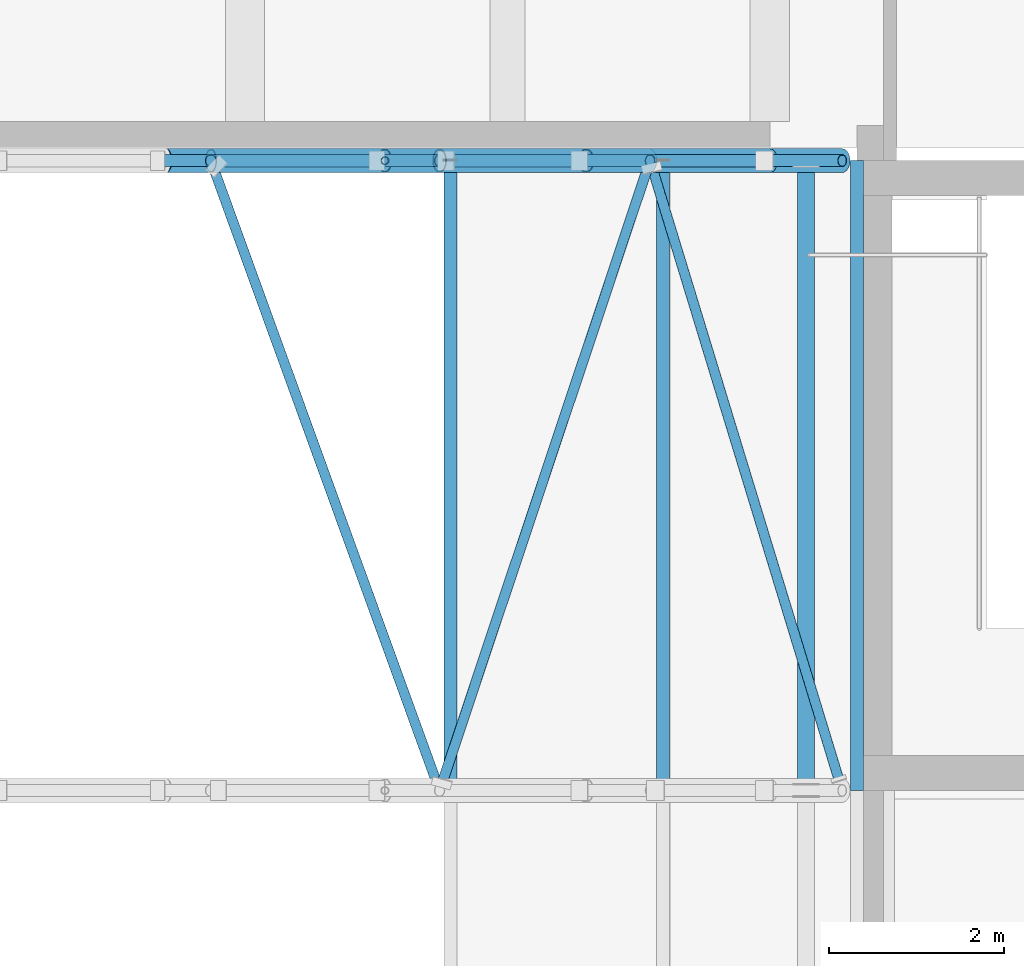
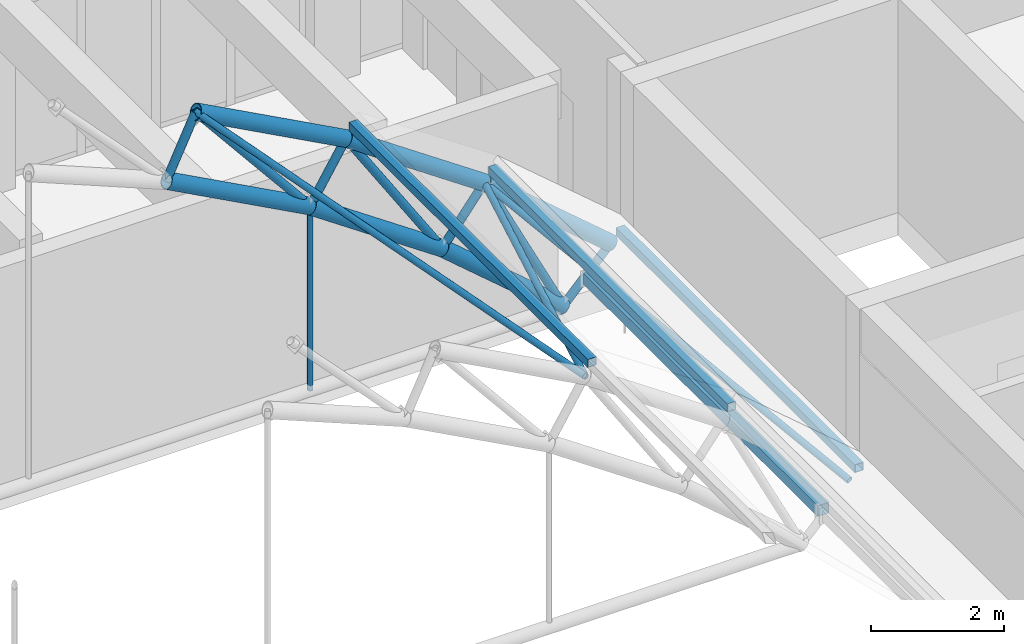
# One storey, part 29 of 101: 21 members.
"""IFC4 building model written with IfcOpenShell, lengths in metres."""

from ifc_helpers import new_model, si_unit, direction, frame, origin, origin_2d, place, context, subcontext, project, spatial, hollow_rectangle, hollow_circle, extrude, material, material_profile, profile_set, type_object, element, save


model = new_model("IFC4")

# Units and contexts
model_context = context("Model", 3, precision=1e-05, world=origin(), true_north=direction((0.0, 1.0)))
body_context = subcontext(model_context, "Body", "Model", "MODEL_VIEW")
ifc_project = project(units=[si_unit("LENGTHUNIT", "METRE"), si_unit("AREAUNIT", "SQUARE_METRE"), si_unit("VOLUMEUNIT", "CUBIC_METRE"), si_unit("PLANEANGLEUNIT", "RADIAN"), si_unit("MASSUNIT", "GRAM", prefix="KILO")], contexts=[model_context])

# Site, building, storey
site_placement = place(None, origin())
site = spatial("IfcSite", under=ifc_project, at=site_placement, CompositionType="ELEMENT")
building_placement = place(site_placement, origin())
building = spatial("IfcBuilding", under=site, at=building_placement, Name="Laocheng Heights Fire and Rescue Headquarters", CompositionType="ELEMENT")
storey_placement = place(building_placement, frame((0.0, 0.0, 8.39990234375)))
storey = spatial("IfcBuildingStorey", under=building, at=storey_placement, Name="L02", CompositionType="ELEMENT", Elevation=8.39990234375)

# Members
ifc_material_1 = material(Name="Steel Q355B", Category="steel")
ifc_material_profile_1 = material_profile(ifc_material_1, hollow_circle(Radius=0.05712890625, WallThickness=0.0048828125, at=origin_2d()), Name="CHS 114.3x5")
ifc_profile_set_1 = profile_set([ifc_material_profile_1], Name="Steel Q355B")
member_type_1 = type_object("IfcMemberType", Name="BAY ROOF BRACE CHS 114.3x5", PredefinedType="BRACE", material=ifc_profile_set_1)
member_1_placement = place(storey_placement, frame((50.22509765625, 14.39990234375, 4.401123046875), z_axis=(-0.335750579277, 0.924466070771, 0.180648920584), x_axis=(-0.939930136239, -0.341366868617, 0.0)))
element("IfcMember", 1, at=member_1_placement, inside=storey, type_object=member_type_1, Name="Roof brace C-D panel 14", PredefinedType="BRACE", context=body_context, shape_type="SweptSolid", body=[
    extrude(hollow_circle(Radius=0.05712890625, WallThickness=0.0048828125, at=origin_2d()), origin(), (0.0, 0.0, 1.0), 7.78857421875),
])
member_2_placement = place(storey_placement, frame((50.22509765625, 14.39990234375, 4.401123046875), z_axis=(0.309683504081, 0.926756560361, -0.212646197069), x_axis=(-0.948448272196, 0.316931972145, 0.0)))
element("IfcMember", 2, at=member_2_placement, inside=storey, type_object=member_type_1, Name="Roof brace C-D panel 15", PredefinedType="BRACE", context=body_context, shape_type="SweptSolid", body=[
    extrude(hollow_circle(Radius=0.05712890625, WallThickness=0.0048828125, at=origin_2d()), origin(), (0.0, 0.0, 1.0), 7.769287109375),
])
member_3_placement = place(storey_placement, frame((54.827880859375, 14.39990234375, 0.869140625), z_axis=(-0.283125122664, 0.927975785465, 0.242283112304), x_axis=(-0.956473341077, -0.291819717992, 0.0)))
element("IfcMember", 3, at=member_3_placement, inside=storey, type_object=member_type_1, Name="Roof brace C-D panel 16", PredefinedType="BRACE", context=body_context, shape_type="SweptSolid", body=[
    extrude(hollow_circle(Radius=0.05712890625, WallThickness=0.0048828125, at=origin_2d()), origin(), (0.0, 0.0, 1.0), 7.759033203125),
])
ifc_material_2 = material(Name="Steel Q355B", Category="steel")
ifc_material_profile_2 = material_profile(ifc_material_2, hollow_circle(Radius=0.136474609375, WallThickness=0.011962890625, at=origin_2d()), Name="CHS 273x12")
ifc_profile_set_2 = profile_set([ifc_material_profile_2], Name="Steel Q355B")
member_type_2 = type_object("IfcMemberType", Name="BAY ROOF CHORD CHS 273x12", PredefinedType="CHORD", material=ifc_profile_set_2)
member_4_placement = place(storey_placement, frame((47.610107421875, 21.60009765625, 5.80810546875), z_axis=(0.880624173368, 0.0, -0.473815433771), x_axis=(0.0, 1.0, 0.0)))
element("IfcMember", 4, at=member_4_placement, inside=storey, type_object=member_type_2, Name="Truss TR4 upper chord 14", PredefinedType="CHORD", context=body_context, shape_type="SweptSolid", body=[
    extrude(hollow_circle(Radius=0.136474609375, WallThickness=0.011962890625, at=origin_2d()), origin(), (0.0, 0.0, 1.0), 2.969482421875),
])
member_5_placement = place(storey_placement, frame((50.22509765625, 21.60009765625, 4.401123046875), z_axis=(0.824366402467, 0.0, -0.566056564738), x_axis=(0.0, 1.0, 0.0)))
element("IfcMember", 5, at=member_5_placement, inside=storey, type_object=member_type_2, Name="Truss TR4 upper chord 15", PredefinedType="CHORD", context=body_context, shape_type="SweptSolid", body=[
    extrude(hollow_circle(Radius=0.136474609375, WallThickness=0.011962890625, at=origin_2d()), origin(), (0.0, 0.0, 1.0), 2.918701171875),
])
member_6_placement = place(storey_placement, frame((52.631103515625, 21.60009765625, 2.7490234375), z_axis=(0.759780870103, 0.0, -0.650179228694), x_axis=(0.0, 1.0, 0.0)))
element("IfcMember", 6, at=member_6_placement, inside=storey, type_object=member_type_2, Name="Truss TR4 upper chord 16", PredefinedType="CHORD", context=body_context, shape_type="SweptSolid", body=[
    extrude(hollow_circle(Radius=0.136474609375, WallThickness=0.011962890625, at=origin_2d()), origin(), (0.0, 0.0, 1.0), 2.891357421875),
])
member_7_placement = place(storey_placement, frame((47.10009765625, 21.60009765625, 4.72216796875), z_axis=(0.880645014109, 0.0, -0.473776697532), x_axis=(0.0, 1.0, 0.0)))
element("IfcMember", 7, at=member_7_placement, inside=storey, type_object=member_type_2, Name="Truss TR4 lower chord 14", PredefinedType="CHORD", context=body_context, shape_type="SweptSolid", body=[
    extrude(hollow_circle(Radius=0.136474609375, WallThickness=0.011962890625, at=origin_2d()), origin(), (0.0, 0.0, 1.0), 2.8388671875),
])
member_8_placement = place(storey_placement, frame((49.60009765625, 21.60009765625, 3.377197265625), z_axis=(0.824378833686, 0.0, -0.566038460327), x_axis=(0.0, 1.0, 0.0)))
element("IfcMember", 8, at=member_8_placement, inside=storey, type_object=member_type_2, Name="Truss TR4 lower chord 15", PredefinedType="CHORD", context=body_context, shape_type="SweptSolid", body=[
    extrude(hollow_circle(Radius=0.136474609375, WallThickness=0.011962890625, at=origin_2d()), origin(), (0.0, 0.0, 1.0), 2.789794921875),
])
member_9_placement = place(storey_placement, frame((51.89990234375, 21.60009765625, 1.798095703125), z_axis=(0.759611792673, 0.0, -0.650376755759), x_axis=(0.0, 1.0, 0.0)))
element("IfcMember", 9, at=member_9_placement, inside=storey, type_object=member_type_2, Name="Truss TR4 lower chord 16", PredefinedType="CHORD", context=body_context, shape_type="SweptSolid", body=[
    extrude(hollow_circle(Radius=0.136474609375, WallThickness=0.011962890625, at=origin_2d()), origin(), (0.0, 0.0, 1.0), 2.7646484375),
])
ifc_material_3 = material(Name="Steel Q355B", Category="steel")
ifc_material_profile_3 = material_profile(ifc_material_3, hollow_circle(Radius=0.06982421875, WallThickness=0.006103515625, at=origin_2d()), Name="CHS 139.7x6")
ifc_profile_set_3 = profile_set([ifc_material_profile_3], Name="Steel Q355B")
member_type_3 = type_object("IfcMemberType", Name="BAY ROOF DIAG CHS 139.7x6", PredefinedType="BRACE", material=ifc_profile_set_3)
member_10_placement = place(storey_placement, frame((49.60009765625, 21.60009765625, 3.377197265625), z_axis=(-0.633440900174, 0.0, 0.773791073861), x_axis=(0.0, -1.0, 0.0)))
element("IfcMember", 10, at=member_10_placement, inside=storey, type_object=member_type_3, Name="Truss diagonal TR4-14", PredefinedType="BRACE", context=body_context, shape_type="SweptSolid", body=[
    extrude(hollow_circle(Radius=0.06982421875, WallThickness=0.006103515625, at=origin_2d()), origin(), (0.0, 0.0, 1.0), 3.1416015625),
])
member_11_placement = place(storey_placement, frame((51.89990234375, 21.60009765625, 1.798095703125), z_axis=(-0.541084441546, 0.0, 0.840968267604), x_axis=(0.0, -1.0, 0.0)))
element("IfcMember", 11, at=member_11_placement, inside=storey, type_object=member_type_3, Name="Truss diagonal TR4-15", PredefinedType="BRACE", context=body_context, shape_type="SweptSolid", body=[
    extrude(hollow_circle(Radius=0.06982421875, WallThickness=0.006103515625, at=origin_2d()), origin(), (0.0, 0.0, 1.0), 3.09521484375),
])
member_12_placement = place(storey_placement, frame((54.0, 21.60009765625, 0.0), z_axis=(-0.445750218044, 0.0, 0.89515738455), x_axis=(0.0, -1.0, 0.0)))
element("IfcMember", 12, at=member_12_placement, inside=storey, type_object=member_type_3, Name="Truss diagonal TR4-16", PredefinedType="BRACE", context=body_context, shape_type="SweptSolid", body=[
    extrude(hollow_circle(Radius=0.06982421875, WallThickness=0.006103515625, at=origin_2d()), origin(), (0.0, 0.0, 1.0), 3.071044921875),
])
ifc_material_4 = material(Name="Steel Q355B", Category="steel")
ifc_material_profile_4 = material_profile(ifc_material_4, hollow_rectangle(XDim=0.199951171875, YDim=0.199951171875, WallThickness=0.008056640625, at=origin_2d()), Name="SHS 200x200x8")
ifc_profile_set_4 = profile_set([ifc_material_profile_4], Name="Steel Q355B")
member_type_4 = type_object("IfcMemberType", Name="BAY ROOF EAVES SHS 200x200x8", PredefinedType="STRUT", material=ifc_profile_set_4)
member_13_placement = place(storey_placement, frame((54.4140625, 14.469970703125, 0.4345703125), z_axis=(0.0, 1.0, 0.0), x_axis=(-1.0, 0.0, 0.0)))
element("IfcMember", 13, at=member_13_placement, inside=storey, type_object=member_type_4, Name="Eaves strut E3", PredefinedType="STRUT", context=body_context, shape_type="SweptSolid", body=[
    extrude(hollow_rectangle(XDim=0.199951171875, YDim=0.199951171875, WallThickness=0.008056640625, at=origin_2d()), origin(), (0.0, 0.0, 1.0), 7.06005859375),
])
ifc_material_5 = material(Name="Steel Q355B", Category="steel")
ifc_material_profile_5 = material_profile(ifc_material_5, hollow_circle(Radius=0.04443359375, WallThickness=0.0048828125, at=origin_2d()), Name="CHS 88.9x5")
ifc_profile_set_5 = profile_set([ifc_material_profile_5], Name="Steel Q355B")
member_type_5 = type_object("IfcMemberType", Name="BAY ROOF HANGER CHS 88.9x5", PredefinedType="POST", material=ifc_profile_set_5)
member_14_placement = place(storey_placement, frame((49.60009765625, 21.60009765625, 0.0), z_axis=(0.0, 0.0, 1.0), x_axis=(1.0, 0.0, 0.0)))
element("IfcMember", 14, at=member_14_placement, inside=storey, type_object=member_type_5, Name="Truss TR4 hanger 14", PredefinedType="POST", context=body_context, shape_type="SweptSolid", body=[
    extrude(hollow_circle(Radius=0.04443359375, WallThickness=0.0048828125, at=origin_2d()), origin(), (0.0, 0.0, 1.0), 3.377197265625),
])
ifc_material_6 = material(Name="Steel Q355B", Category="steel")
ifc_material_profile_6 = material_profile(ifc_material_6, hollow_circle(Radius=0.06982421875, WallThickness=0.006103515625, at=origin_2d()), Name="CHS 139.7x6")
ifc_profile_set_6 = profile_set([ifc_material_profile_6], Name="Steel Q355B")
member_type_6 = type_object("IfcMemberType", Name="BAY ROOF POST CHS 139.7x6", PredefinedType="POST", material=ifc_profile_set_6)
for number, where, z_axis, x_axis, name in (
    (15, (47.10009765625, 21.60009765625, 4.72216796875), (0.425101107328, 0.0, 0.90514587142), (0.0, 1.0, 0.0), "Truss TR4 radial post 13"),
    (16, (49.60009765625, 21.60009765625, 3.377197265625), (0.521005401076, 0.0, 0.853553379731), (0.0, 1.0, 0.0), "Truss TR4 radial post 14"),
):
    element("IfcMember", number, at=place(storey_placement, frame(where, z_axis=z_axis, x_axis=x_axis)), inside=storey, type_object=member_type_6, Name=name, PredefinedType="POST", context=body_context, shape_type="SweptSolid", body=[
        extrude(hollow_circle(Radius=0.06982421875, WallThickness=0.006103515625, at=origin_2d()), origin(), (0.0, 0.0, 1.0), 1.19970703125),
    ])
member_15_placement = place(storey_placement, frame((51.89990234375, 21.60009765625, 1.798095703125), z_axis=(0.609563212164, 0.0, 0.792737466237), x_axis=(0.0, 1.0, 0.0)))
element("IfcMember", 17, at=member_15_placement, inside=storey, type_object=member_type_6, Name="Truss TR4 radial post 15", PredefinedType="POST", context=body_context, shape_type="SweptSolid", body=[
    extrude(hollow_circle(Radius=0.06982421875, WallThickness=0.006103515625, at=origin_2d()), origin(), (0.0, 0.0, 1.0), 1.199462890625),
])
member_16_placement = place(storey_placement, frame((54.0, 21.60009765625, 0.0), z_axis=(0.689711037364, 0.0, 0.72408472221), x_axis=(0.0, 1.0, 0.0)))
element("IfcMember", 18, at=member_16_placement, inside=storey, type_object=member_type_6, Name="Truss TR4 radial post 16", PredefinedType="POST", context=body_context, shape_type="SweptSolid", body=[
    extrude(hollow_circle(Radius=0.06982421875, WallThickness=0.006103515625, at=origin_2d()), origin(), (0.0, 0.0, 1.0), 1.200439453125),
])
ifc_material_7 = material(Name="Steel Q355B", Category="steel")
ifc_material_profile_7 = material_profile(ifc_material_7, hollow_rectangle(XDim=0.14990234375, YDim=0.14990234375, WallThickness=0.008056640625, at=origin_2d()), Name="SHS 150x150x8")
ifc_profile_set_7 = profile_set([ifc_material_profile_7], Name="Steel Q355B")
member_type_7 = type_object("IfcMemberType", Name="BAY ROOF PURLIN SHS 150x150x8", PredefinedType="PURLIN", material=ifc_profile_set_7)
for number, where, z_axis, x_axis, name in (
    (19, (50.35009765625, 14.39990234375, 4.60595703125), (0.0, 1.0, 0.0), (-1.0, 0.0, 0.0), "Purlin 15.3"),
    (20, (52.778564453125, 14.39990234375, 2.941162109375), (0.0, 1.0, 0.0), (-1.0, 0.0, 0.0), "Purlin 16.3"),
    (21, (54.99560546875, 14.39990234375, 1.045166015625), (0.0, 1.0, 0.0), (-1.0, 0.0, 0.0), "Purlin 17.3"),
):
    element("IfcMember", number, at=place(storey_placement, frame(where, z_axis=z_axis, x_axis=x_axis)), inside=storey, type_object=member_type_7, Name=name, PredefinedType="PURLIN", context=body_context, shape_type="SweptSolid", body=[
        extrude(hollow_rectangle(XDim=0.14990234375, YDim=0.14990234375, WallThickness=0.008056640625, at=origin_2d()), origin(), (0.0, 0.0, 1.0), 7.2001953125),
    ])

save(model, "model.ifc")
